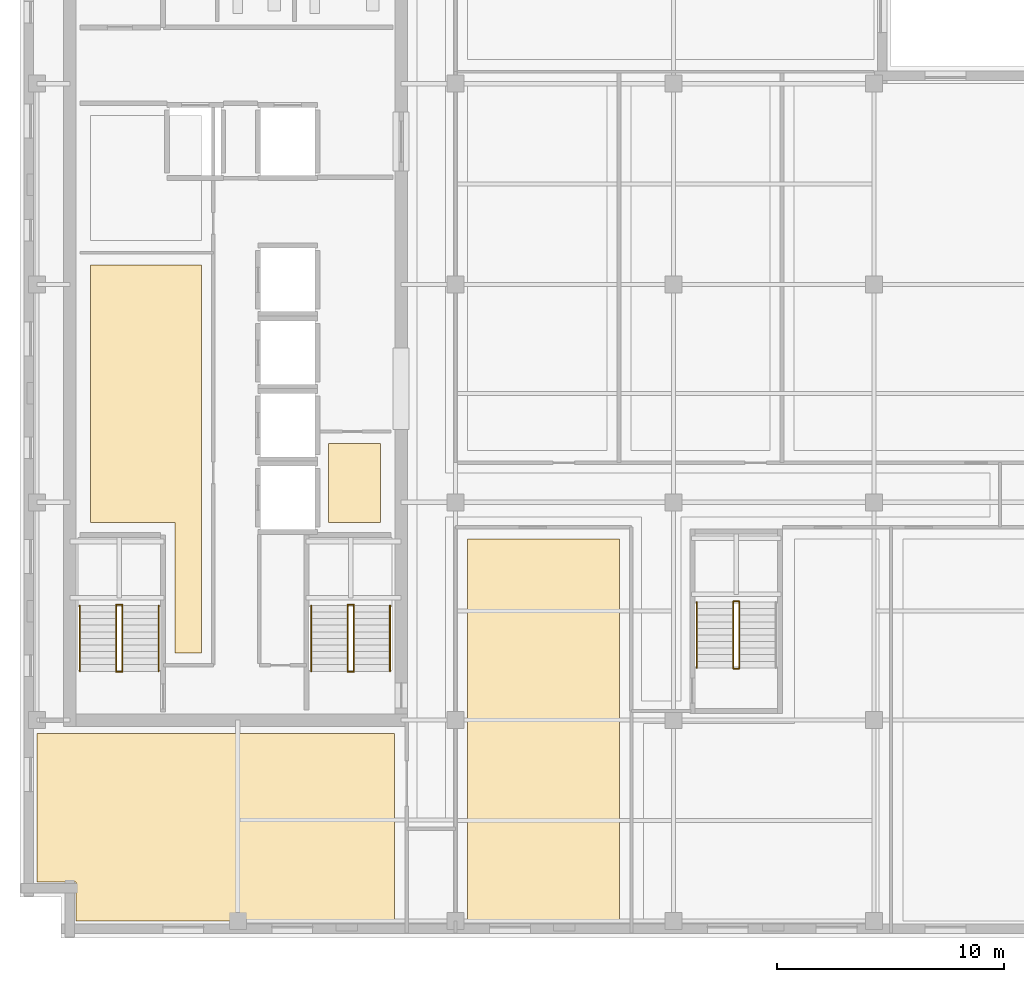
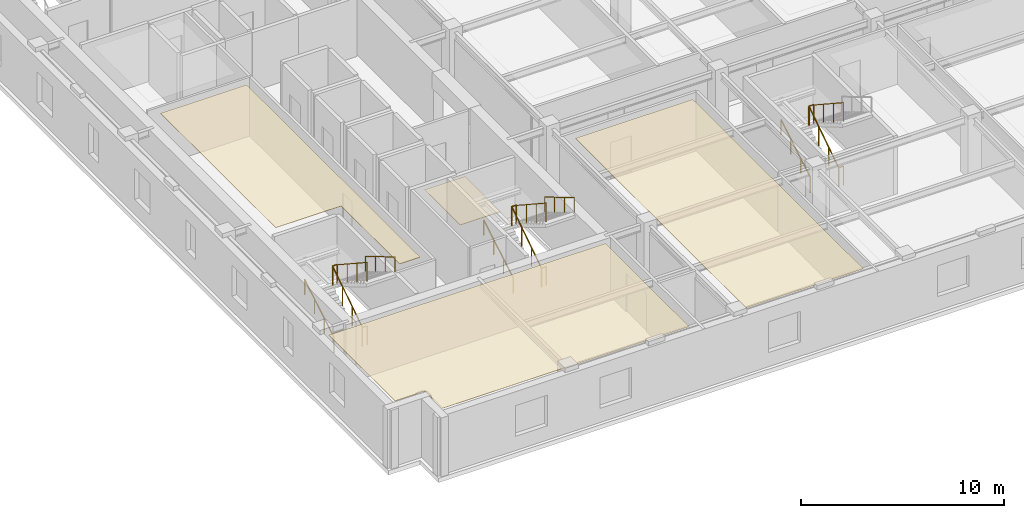
# One storey, part 7 of 10: 17 railings, 4 coverings.
"""IFC4 building model written with IfcOpenShell, lengths in metres."""

import ifcopenshell
import ifcopenshell.guid

model = None  # the IFC model being written
_history = None  # IfcOwnerHistory: only IFC2X3 demands one
_inside = {}  # id of a spatial element -> (the spatial element, [elements in it])
_under = {}  # id of a project, library or spatial element -> (it, [spatial elements below it])
_declared = {}  # id of a project -> (the project, [libraries it declares])
_typed = {}  # id of a type object -> (the type object, [elements of that type])
_made_of = {}  # id of a material, layer set ... -> (it, [elements and type objects made of it])


def new_model(schema):
    """Start an empty IFC model of exactly this schema.

    Asked for "IFC4X3", IfcOpenShell would pick the latest addendum, in which some entities
    have other attributes; the version numbers below select the first issue.
    IFC2X3 requires an IfcOwnerHistory on every rooted entity: one is made here for all.
    """
    global model, _history
    if schema == "IFC4X3":
        model = ifcopenshell.file(schema_version=(4, 3, 0, 0))
    else:
        model = ifcopenshell.file(schema=schema)
    _inside.clear()
    _under.clear()
    _declared.clear()
    _typed.clear()
    _made_of.clear()
    _history = None
    if model.schema == "IFC2X3":
        org = make("IfcOrganization", Name="unknown")
        user = make(
            "IfcPersonAndOrganization",
            ThePerson=make("IfcPerson", FamilyName="unknown"),
            TheOrganization=org,
        )
        app = make(
            "IfcApplication",
            ApplicationDeveloper=org,
            Version="unknown",
            ApplicationFullName="unknown",
            ApplicationIdentifier="unknown",
        )
        _history = make(
            "IfcOwnerHistory",
            OwningUser=user,
            OwningApplication=app,
            ChangeAction="ADDED",
            CreationDate=0,
        )
    return model


def make(cls, **values):
    """One entity of the class cls with the attributes given. An attribute that is None is left unset."""
    return model.create_entity(
        cls, **{name: value for name, value in values.items() if value is not None}
    )


def rooted(cls, **values):
    """An entity with a GlobalId (a new one), such as an element, a storey or a relation."""
    return make(cls, GlobalId=ifcopenshell.guid.new(), OwnerHistory=_history, **values)


def si_unit(unit_type, name, prefix=None):
    """IfcSIUnit, for example si_unit("LENGTHUNIT", "METRE", prefix="MILLI")."""
    return make("IfcSIUnit", UnitType=unit_type, Prefix=prefix, Name=name)


def assignment(units):
    """IfcUnitAssignment: the units of a project."""
    return None if units is None else make("IfcUnitAssignment", Units=units)


def point(xyz):
    """IfcCartesianPoint."""
    return None if xyz is None else make("IfcCartesianPoint", Coordinates=xyz)


def direction(xyz):
    """IfcDirection."""
    return None if xyz is None else make("IfcDirection", DirectionRatios=xyz)


def frame(location, z_axis=None, x_axis=None):
    """IfcAxis2Placement3D, a coordinate frame: its origin and axes. An axis left out is left unset."""
    return make(
        "IfcAxis2Placement3D",
        Location=point(location),
        Axis=direction(z_axis),
        RefDirection=direction(x_axis),
    )


def frame_2d(location, x_axis=None):
    """IfcAxis2Placement2D, a coordinate frame in the plane: its origin and x axis."""
    return make(
        "IfcAxis2Placement2D", Location=point(location), RefDirection=direction(x_axis)
    )


def origin():
    """The frame at (0, 0, 0) with its axes left unset."""
    return frame((0.0, 0.0, 0.0))


def origin_2d():
    """The frame at (0, 0) in the plane with its x axis left unset."""
    return frame_2d((0.0, 0.0))


def place(relative_to, where):
    """IfcLocalPlacement: puts the frame where relative to a parent placement (None: the world)."""
    return make(
        "IfcLocalPlacement", PlacementRelTo=relative_to, RelativePlacement=where
    )


def context(
    kind, dimensions, precision=None, world=None, true_north=None, identifier=None
):
    """IfcGeometricRepresentationContext, for example the 3D "Model" context."""
    return make(
        "IfcGeometricRepresentationContext",
        ContextIdentifier=identifier,
        ContextType=kind,
        CoordinateSpaceDimension=dimensions,
        Precision=precision,
        WorldCoordinateSystem=world,
        TrueNorth=true_north,
    )


def subcontext(parent, identifier, kind, view, scale=None):
    """IfcGeometricRepresentationSubContext, for example "Body" below "Model"."""
    return make(
        "IfcGeometricRepresentationSubContext",
        ContextIdentifier=identifier,
        ContextType=kind,
        ParentContext=parent,
        TargetScale=scale,
        TargetView=view,
    )


def project(units=None, contexts=None):
    """IfcProject with its units and contexts."""
    return rooted(
        "IfcProject",
        Name="project",
        RepresentationContexts=contexts,
        UnitsInContext=assignment(units),
    )


def spatial(cls, under=None, at=None, **own):
    """A site, building, storey or space (cls), placed at a placement, below another one or the project."""
    s = rooted(cls, ObjectPlacement=at, **own)
    if under is not None:
        _under.setdefault(under.id(), (under, []))[1].append(s)
    return s


def polyline(points):
    """IfcPolyline through the points."""
    return make("IfcPolyline", Points=[point(p) for p in points])


def profile(cls, at=None, kind="AREA", **sizes):
    """A parametric profile (cls). Its sizes go by their IFC names, for example OverallWidth=200.0."""
    return make(cls, ProfileType=kind, Position=at, **sizes)


def circle(**sizes):
    """IfcCircleProfileDef."""
    return profile("IfcCircleProfileDef", **sizes)


def outline(outer, holes=None, kind="AREA"):
    """IfcArbitraryClosedProfileDef: a profile drawn as a closed curve; with holes, ...WithVoids."""
    if holes is None:
        return make("IfcArbitraryClosedProfileDef", ProfileType=kind, OuterCurve=outer)
    return make(
        "IfcArbitraryProfileDefWithVoids",
        ProfileType=kind,
        OuterCurve=outer,
        InnerCurves=holes,
    )


def extrude(swept, where, along, depth):
    """IfcExtrudedAreaSolid: the profile swept, set in the frame where, extruded along a direction by depth."""
    return make(
        "IfcExtrudedAreaSolid",
        SweptArea=swept,
        Position=where,
        ExtrudedDirection=direction(along),
        Depth=depth,
    )


def shape(context_of_items, identifier, shape_type, items):
    """IfcShapeRepresentation: the items that make up one representation, for example the "Body"."""
    return make(
        "IfcShapeRepresentation",
        ContextOfItems=context_of_items,
        RepresentationIdentifier=identifier,
        RepresentationType=shape_type,
        Items=items,
    )


def material(Name=None, Category=None):
    """IfcMaterial."""
    return make("IfcMaterial", Name=Name, Category=Category)


def layer(
    of_material, thickness, ventilated=None, Name=None, Category=None, Priority=None
):
    """IfcMaterialLayer: one layer of a wall or slab, of a material (None: an air gap)."""
    return make(
        "IfcMaterialLayer",
        Material=of_material,
        LayerThickness=thickness,
        IsVentilated=ventilated,
        Name=Name,
        Category=Category,
        Priority=Priority,
    )


def layer_set(layers, Name=None):
    """IfcMaterialLayerSet."""
    return make("IfcMaterialLayerSet", MaterialLayers=layers, LayerSetName=Name)


def made_of(thing, what):
    """Note that an element or type object is made of a material, layer set ...; save() writes the relation."""
    if what is not None:
        _made_of.setdefault(what.id(), (what, []))[1].append(thing)
    return thing


def type_object(cls, material=None, **own):
    """A type object (cls), such as IfcWallType, which elements share."""
    return made_of(rooted(cls, **own), material)


def element(
    cls,
    number,
    at=None,
    inside=None,
    cuts=None,
    type_object=None,
    material=None,
    context=None,
    identifier="Body",
    shape_type=None,
    held_by="IfcProductDefinitionShape",
    body=None,
    shapes=None,
    **own,
):
    """One element of the class cls, such as IfcWall. Its Tag is "e" and its number.

    at: its placement. inside: the storey or other place that contains it. cuts: it is an
    opening in that element (IfcRelVoidsElement). A single representation is given by context,
    identifier, shape_type and body (its items); several are given by shapes. held_by: the class
    of the entity that holds the representations. save() writes the other relations.
    """
    e = rooted(cls, Tag="e%d" % number, ObjectPlacement=at, **own)
    if body is not None:
        shapes = [shape(context, identifier, shape_type, body)]
    if shapes is not None:
        e.Representation = make(held_by, Representations=shapes)
    if inside is not None:
        _inside.setdefault(inside.id(), (inside, []))[1].append(e)
    if cuts is not None:
        rooted(
            "IfcRelVoidsElement", RelatingBuildingElement=cuts, RelatedOpeningElement=e
        )
    if type_object is not None:
        _typed.setdefault(type_object.id(), (type_object, []))[1].append(e)
    return made_of(e, material)


def aggregate(whole, parts):
    """IfcRelAggregates: a whole, such as a stair, and the parts it consists of."""
    return rooted("IfcRelAggregates", RelatingObject=whole, RelatedObjects=parts)


def save(model, path):
    """Write the relations noted so far, then the file.

    IfcRelAggregates (storeys below a building ...), IfcRelContainedInSpatialStructure (elements
    in a storey), IfcRelDefinesByType, IfcRelAssociatesMaterial and IfcRelDeclares: one each for
    every whole, place, type object, material and project.
    """
    for whole, parts in _under.values():
        aggregate(whole, parts)
    for where, things in _inside.values():
        rooted(
            "IfcRelContainedInSpatialStructure",
            RelatedElements=things,
            RelatingStructure=where,
        )
    for kind, things in _typed.values():
        rooted("IfcRelDefinesByType", RelatedObjects=things, RelatingType=kind)
    for what, things in _made_of.values():
        rooted("IfcRelAssociatesMaterial", RelatedObjects=things, RelatingMaterial=what)
    for by, libraries in _declared.values():
        rooted("IfcRelDeclares", RelatingContext=by, RelatedDefinitions=libraries)
    model.write(path)


model = new_model("IFC4")

# Units and contexts
model_context = context("Model", 3, precision=1e-05, world=origin(), true_north=direction((0.0, 1.0)))
body_context = subcontext(model_context, "Body", "Model", "MODEL_VIEW")
ifc_project = project(units=[si_unit("LENGTHUNIT", "METRE"), si_unit("AREAUNIT", "SQUARE_METRE"), si_unit("VOLUMEUNIT", "CUBIC_METRE"), si_unit("PLANEANGLEUNIT", "RADIAN"), si_unit("MASSUNIT", "GRAM", prefix="KILO")], contexts=[model_context])

# Site, building, storey
site_placement = place(None, origin())
site = spatial("IfcSite", under=ifc_project, at=site_placement, CompositionType="ELEMENT")
building_placement = place(site_placement, origin())
building = spatial("IfcBuilding", under=site, at=building_placement, Name="Norrvale University Quadrangle", CompositionType="ELEMENT")
storey_placement = place(building_placement, frame((0.0, 0.0, 265.800048828125)))
storey = spatial("IfcBuildingStorey", under=building, at=storey_placement, Name="L67", CompositionType="ELEMENT", Elevation=265.800048828125)

# Coverings
ifc_material_1 = material(Name="Perforated Acoustic Mineral Ceiling")
ifc_layer_1 = layer(ifc_material_1, 0.02490234375, Name="Perforated Acoustic Mineral Ceiling")
ifc_layer_set_1 = layer_set([ifc_layer_1], Name="Perforated Acoustic Mineral Ceiling")
covering_type_1 = type_object("IfcCoveringType", Name="Covering Acoustic Ceiling 25", PredefinedType="CEILING", material=ifc_layer_set_1)
covering_1_placement = place(storey_placement, frame((0.0, 0.0, 3.514892578125)))
element("IfcCovering", 1, at=covering_1_placement, inside=storey, type_object=covering_type_1, Name="Acoustic Ceiling RM-L67-REC1", PredefinedType="CEILING", context=body_context, shape_type="SweptSolid", body=[
    extrude(outline(polyline([(3.10009765625, 18.300048828125), (3.10009765625, 29.64990234375), (8.0, 29.64990234375), (8.0, 12.550048828125), (6.830078125, 12.550048828125), (6.830078125, 18.300048828125), (3.10009765625, 18.300048828125)])), origin(), (0.0, 0.0, 1.0), 0.025146484375),
])
covering_2_placement = place(storey_placement, frame((0.0, 0.0, 3.514892578125)))
element("IfcCovering", 2, at=covering_2_placement, inside=storey, type_object=covering_type_1, Name="Acoustic Ceiling RM-L67-SW1", PredefinedType="CEILING", context=body_context, shape_type="SweptSolid", body=[
    extrude(outline(polyline([(0.75, 9.0), (16.5, 9.0), (16.5, 0.75), (2.469970703125, 0.75), (2.469970703125, 2.469970703125), (0.75, 2.469970703125), (0.75, 9.0)])), origin(), (0.0, 0.0, 1.0), 0.025146484375),
])
covering_3_placement = place(storey_placement, frame((0.0, 0.0, 3.514892578125)))
element("IfcCovering", 3, at=covering_3_placement, inside=storey, type_object=covering_type_1, Name="Acoustic Ceiling RM-L67-SE1", PredefinedType="CEILING", context=body_context, shape_type="SweptSolid", body=[
    extrude(outline(polyline([(19.72998046875, 17.570068359375), (26.419921875, 17.570068359375), (26.419921875, 0.75), (19.72998046875, 0.75), (19.72998046875, 17.570068359375)])), origin(), (0.0, 0.0, 1.0), 0.025146484375),
])
ifc_material_2 = material(Name="Polished Terrazzo Flooring")
ifc_layer_2 = layer(ifc_material_2, 0.02490234375, Name="Polished Terrazzo Flooring")
ifc_layer_set_2 = layer_set([ifc_layer_2], Name="Polished Terrazzo Flooring")
covering_type_2 = type_object("IfcCoveringType", Name="Covering Terrazzo Floor 30", PredefinedType="FLOORING", material=ifc_layer_set_2)
covering_4_placement = place(storey_placement, origin())
element("IfcCovering", 4, at=covering_4_placement, inside=storey, type_object=covering_type_2, Name="Terrazzo Flooring RM-L67-JAN", PredefinedType="FLOORING", context=body_context, shape_type="SweptSolid", body=[
    extrude(outline(polyline([(13.60009765625, 18.300048828125), (13.60009765625, 21.800048828125), (15.89990234375, 21.800048828125), (15.89990234375, 18.300048828125), (13.60009765625, 18.300048828125)])), origin(), (0.0, 0.0, 1.0), 0.02490234375),
])

# Railings
ifc_material_3 = material(Name="Steel 350W Painted Balustrade", Category="steel")
railing_type_1 = type_object("IfcRailingType", Name="Railing Stair Guard 1100", PredefinedType="GUARDRAIL", material=ifc_material_3)
for number, where, name in (
    (5, (4.239990234375, 11.719970703125, 0.0), "Stair Floor Well Guard ST-01 L67"),
    (6, (4.239990234375, 14.679931640625, 1.89990234375), "Stair Mid-Landing Slot Guard ST-01 L67"),
):
    element("IfcRailing", number, at=place(storey_placement, frame(where)), inside=storey, type_object=railing_type_1, Name=name, PredefinedType="GUARDRAIL", context=body_context, shape_type="SweptSolid", body=[
        extrude(circle(Radius=0.02392578125, at=origin_2d()), frame((0.0, 0.0, 1.1259765625), z_axis=(1.0, 0.0, 0.0), x_axis=(0.0, 1.0, 0.0)), (0.0, 0.0, 1.0), 0.27001953125),
        extrude(circle(Radius=0.02099609375, at=origin_2d()), origin(), (0.0, 0.0, 1.0), 1.101806640625),
        extrude(circle(Radius=0.02099609375, at=origin_2d()), frame((0.27001953125, 0.0, 0.0)), (0.0, 0.0, 1.0), 1.101806640625),
    ])
railing_1_placement = place(storey_placement, frame((4.239990234375, 11.75, 0.0)))
element("IfcRailing", 7, at=railing_1_placement, inside=storey, type_object=railing_type_1, Name="Stair Lower Flight Inner Guard ST-01 L67", PredefinedType="GUARDRAIL", context=body_context, shape_type="SweptSolid", body=[
    extrude(circle(Radius=0.02392578125, at=origin_2d()), frame((0.0, 0.0, 1.1259765625), z_axis=(0.0, 0.836465582154, 0.548019461216), x_axis=(-1.0, 0.0, 0.0)), (0.0, 0.0, 1.0), 3.466796875),
    extrude(circle(Radius=0.02099609375, at=origin_2d()), origin(), (0.0, 0.0, 1.0), 1.101806640625),
    extrude(circle(Radius=0.02099609375, at=origin_2d()), frame((0.0, 0.966552734375, 0.63330078125)), (0.0, 0.0, 1.0), 1.101806640625),
    extrude(circle(Radius=0.02099609375, at=origin_2d()), frame((0.0, 1.933349609375, 1.2666015625)), (0.0, 0.0, 1.0), 1.101806640625),
    extrude(circle(Radius=0.02099609375, at=origin_2d()), frame((0.0, 2.89990234375, 1.89990234375)), (0.0, 0.0, 1.0), 1.101806640625),
])
railing_2_placement = place(storey_placement, frame((4.510009765625, 14.64990234375, 1.89990234375)))
element("IfcRailing", 8, at=railing_2_placement, inside=storey, type_object=railing_type_1, Name="Stair Upper Flight Inner Guard ST-01 L67", PredefinedType="GUARDRAIL", context=body_context, shape_type="SweptSolid", body=[
    extrude(circle(Radius=0.02392578125, at=origin_2d()), frame((0.0, 0.0, 1.1259765625), z_axis=(0.0, -0.836433300813, 0.548068730445), x_axis=(1.0, 0.0, 0.0)), (0.0, 0.0, 1.0), 3.467041015625),
    extrude(circle(Radius=0.02099609375, at=origin_2d()), origin(), (0.0, 0.0, 1.0), 1.101806640625),
    extrude(circle(Radius=0.02099609375, at=origin_2d()), frame((0.0, -0.966552734375, 0.63330078125)), (0.0, 0.0, 1.0), 1.101806640625),
    extrude(circle(Radius=0.02099609375, at=origin_2d()), frame((0.0, -1.933349609375, 1.266845703125)), (0.0, 0.0, 1.0), 1.101806640625),
    extrude(circle(Radius=0.02099609375, at=origin_2d()), frame((0.0, -2.89990234375, 1.900146484375)), (0.0, 0.0, 1.0), 1.101806640625),
])
for number, where, name in (
    (9, (14.43994140625, 11.719970703125, 0.0), "Stair Floor Well Guard ST-03 L67"),
    (10, (14.43994140625, 14.679931640625, 1.89990234375), "Stair Mid-Landing Slot Guard ST-03 L67"),
):
    element("IfcRailing", number, at=place(storey_placement, frame(where)), inside=storey, type_object=railing_type_1, Name=name, PredefinedType="GUARDRAIL", context=body_context, shape_type="SweptSolid", body=[
        extrude(circle(Radius=0.02392578125, at=origin_2d()), frame((0.0, 0.0, 1.1259765625), z_axis=(1.0, 0.0, 0.0), x_axis=(0.0, 1.0, 0.0)), (0.0, 0.0, 1.0), 0.27001953125),
        extrude(circle(Radius=0.02099609375, at=origin_2d()), origin(), (0.0, 0.0, 1.0), 1.101806640625),
        extrude(circle(Radius=0.02099609375, at=origin_2d()), frame((0.27001953125, 0.0, 0.0)), (0.0, 0.0, 1.0), 1.101806640625),
    ])
railing_3_placement = place(storey_placement, frame((14.43994140625, 11.75, 0.0)))
element("IfcRailing", 11, at=railing_3_placement, inside=storey, type_object=railing_type_1, Name="Stair Lower Flight Inner Guard ST-03 L67", PredefinedType="GUARDRAIL", context=body_context, shape_type="SweptSolid", body=[
    extrude(circle(Radius=0.02392578125, at=origin_2d()), frame((0.0, 0.0, 1.1259765625), z_axis=(0.0, 0.836465582154, 0.548019461216), x_axis=(-1.0, 0.0, 0.0)), (0.0, 0.0, 1.0), 3.466796875),
    extrude(circle(Radius=0.02099609375, at=origin_2d()), origin(), (0.0, 0.0, 1.0), 1.101806640625),
    extrude(circle(Radius=0.02099609375, at=origin_2d()), frame((0.0, 0.966552734375, 0.63330078125)), (0.0, 0.0, 1.0), 1.101806640625),
    extrude(circle(Radius=0.02099609375, at=origin_2d()), frame((0.0, 1.933349609375, 1.2666015625)), (0.0, 0.0, 1.0), 1.101806640625),
    extrude(circle(Radius=0.02099609375, at=origin_2d()), frame((0.0, 2.89990234375, 1.89990234375)), (0.0, 0.0, 1.0), 1.101806640625),
])
railing_4_placement = place(storey_placement, frame((14.7099609375, 14.64990234375, 1.89990234375)))
element("IfcRailing", 12, at=railing_4_placement, inside=storey, type_object=railing_type_1, Name="Stair Upper Flight Inner Guard ST-03 L67", PredefinedType="GUARDRAIL", context=body_context, shape_type="SweptSolid", body=[
    extrude(circle(Radius=0.02392578125, at=origin_2d()), frame((0.0, 0.0, 1.1259765625), z_axis=(0.0, -0.836433300813, 0.548068730445), x_axis=(1.0, 0.0, 0.0)), (0.0, 0.0, 1.0), 3.467041015625),
    extrude(circle(Radius=0.02099609375, at=origin_2d()), origin(), (0.0, 0.0, 1.0), 1.101806640625),
    extrude(circle(Radius=0.02099609375, at=origin_2d()), frame((0.0, -0.966552734375, 0.63330078125)), (0.0, 0.0, 1.0), 1.101806640625),
    extrude(circle(Radius=0.02099609375, at=origin_2d()), frame((0.0, -1.933349609375, 1.266845703125)), (0.0, 0.0, 1.0), 1.101806640625),
    extrude(circle(Radius=0.02099609375, at=origin_2d()), frame((0.0, -2.89990234375, 1.900146484375)), (0.0, 0.0, 1.0), 1.101806640625),
])
for number, where, name in (
    (13, (31.43994140625, 11.8701171875, 0.0), "Stair Floor Well Guard ST-04 L67"),
    (14, (31.43994140625, 14.830078125, 1.89990234375), "Stair Mid-Landing Slot Guard ST-04 L67"),
):
    element("IfcRailing", number, at=place(storey_placement, frame(where)), inside=storey, type_object=railing_type_1, Name=name, PredefinedType="GUARDRAIL", context=body_context, shape_type="SweptSolid", body=[
        extrude(circle(Radius=0.02392578125, at=origin_2d()), frame((0.0, 0.0, 1.1259765625), z_axis=(1.0, 0.0, 0.0), x_axis=(0.0, 1.0, 0.0)), (0.0, 0.0, 1.0), 0.27001953125),
        extrude(circle(Radius=0.02099609375, at=origin_2d()), origin(), (0.0, 0.0, 1.0), 1.101806640625),
        extrude(circle(Radius=0.02099609375, at=origin_2d()), frame((0.27001953125, 0.0, 0.0)), (0.0, 0.0, 1.0), 1.101806640625),
    ])
railing_5_placement = place(storey_placement, frame((31.43994140625, 11.89990234375, 0.0)))
element("IfcRailing", 15, at=railing_5_placement, inside=storey, type_object=railing_type_1, Name="Stair Lower Flight Inner Guard ST-04 L67", PredefinedType="GUARDRAIL", context=body_context, shape_type="SweptSolid", body=[
    extrude(circle(Radius=0.02392578125, at=origin_2d()), frame((0.0, 0.0, 1.1259765625), z_axis=(0.0, 0.836486729621, 0.547987181573), x_axis=(-1.0, 0.0, 0.0)), (0.0, 0.0, 1.0), 3.467041015625),
    extrude(circle(Radius=0.02099609375, at=origin_2d()), origin(), (0.0, 0.0, 1.0), 1.101806640625),
    extrude(circle(Radius=0.02099609375, at=origin_2d()), frame((0.0, 0.966796875, 0.63330078125)), (0.0, 0.0, 1.0), 1.101806640625),
    extrude(circle(Radius=0.02099609375, at=origin_2d()), frame((0.0, 1.933349609375, 1.2666015625)), (0.0, 0.0, 1.0), 1.101806640625),
    extrude(circle(Radius=0.02099609375, at=origin_2d()), frame((0.0, 2.900146484375, 1.89990234375)), (0.0, 0.0, 1.0), 1.101806640625),
])
railing_6_placement = place(storey_placement, frame((31.7099609375, 14.800048828125, 1.89990234375)))
element("IfcRailing", 16, at=railing_6_placement, inside=storey, type_object=railing_type_1, Name="Stair Upper Flight Inner Guard ST-04 L67", PredefinedType="GUARDRAIL", context=body_context, shape_type="SweptSolid", body=[
    extrude(circle(Radius=0.02392578125, at=origin_2d()), frame((0.0, 0.0, 1.1259765625), z_axis=(0.0, -0.836454451266, 0.548036450392), x_axis=(1.0, 0.0, 0.0)), (0.0, 0.0, 1.0), 3.46728515625),
    extrude(circle(Radius=0.02099609375, at=origin_2d()), origin(), (0.0, 0.0, 1.0), 1.101806640625),
    extrude(circle(Radius=0.02099609375, at=origin_2d()), frame((0.0, -0.966796875, 0.63330078125)), (0.0, 0.0, 1.0), 1.101806640625),
    extrude(circle(Radius=0.02099609375, at=origin_2d()), frame((0.0, -1.933349609375, 1.266845703125)), (0.0, 0.0, 1.0), 1.101806640625),
    extrude(circle(Radius=0.02099609375, at=origin_2d()), frame((0.0, -2.900146484375, 1.900146484375)), (0.0, 0.0, 1.0), 1.101806640625),
])
ifc_material_4 = material(Name="Stainless Steel 316L Handrail", Category="steel")
railing_type_2 = type_object("IfcRailingType", Name="Railing Stair Handrail 920", PredefinedType="HANDRAIL", material=ifc_material_4)
railing_7_placement = place(storey_placement, frame((2.639892578125, 11.75, 0.172607421875)))
element("IfcRailing", 17, at=railing_7_placement, inside=storey, type_object=railing_type_2, Name="Stair Lower Flight Handrail ST-01 L67", PredefinedType="HANDRAIL", context=body_context, shape_type="SweptSolid", body=[
    extrude(circle(Radius=0.02392578125, at=origin_2d()), frame((0.0, 0.0, 0.89599609375), z_axis=(0.0, 0.859141464434, 0.511738159696), x_axis=(-1.0, 0.0, 0.0)), (0.0, 0.0, 1.0), 3.375244140625),
    extrude(circle(Radius=0.02099609375, at=origin_2d()), origin(), (0.0, 0.0, 1.0), 0.871826171875),
    extrude(circle(Radius=0.02099609375, at=origin_2d()), frame((0.0, 0.966552734375, 0.57568359375)), (0.0, 0.0, 1.0), 0.871826171875),
    extrude(circle(Radius=0.02099609375, at=origin_2d()), frame((0.0, 1.933349609375, 1.151611328125)), (0.0, 0.0, 1.0), 0.871826171875),
    extrude(circle(Radius=0.02099609375, at=origin_2d()), frame((0.0, 2.89990234375, 1.727294921875)), (0.0, 0.0, 1.0), 0.871826171875),
])
railing_8_placement = place(storey_placement, frame((6.110107421875, 14.64990234375, 2.07275390625)))
element("IfcRailing", 18, at=railing_8_placement, inside=storey, type_object=railing_type_2, Name="Stair Upper Flight Handrail ST-01 L67", PredefinedType="HANDRAIL", context=body_context, shape_type="SweptSolid", body=[
    extrude(circle(Radius=0.02392578125, at=origin_2d()), frame((0.0, 0.0, 0.89599609375), z_axis=(0.0, -0.859141464434, 0.511738159696), x_axis=(1.0, 0.0, 0.0)), (0.0, 0.0, 1.0), 3.375244140625),
    extrude(circle(Radius=0.02099609375, at=origin_2d()), origin(), (0.0, 0.0, 1.0), 0.871826171875),
    extrude(circle(Radius=0.02099609375, at=origin_2d()), frame((0.0, -0.966552734375, 0.57568359375)), (0.0, 0.0, 1.0), 0.871826171875),
    extrude(circle(Radius=0.02099609375, at=origin_2d()), frame((0.0, -1.933349609375, 1.151611328125)), (0.0, 0.0, 1.0), 0.871826171875),
    extrude(circle(Radius=0.02099609375, at=origin_2d()), frame((0.0, -2.89990234375, 1.727294921875)), (0.0, 0.0, 1.0), 0.871826171875),
])
railing_9_placement = place(storey_placement, frame((12.840087890625, 11.75, 0.172607421875)))
element("IfcRailing", 19, at=railing_9_placement, inside=storey, type_object=railing_type_2, Name="Stair Lower Flight Handrail ST-03 L67", PredefinedType="HANDRAIL", context=body_context, shape_type="SweptSolid", body=[
    extrude(circle(Radius=0.02392578125, at=origin_2d()), frame((0.0, 0.0, 0.89599609375), z_axis=(0.0, 0.859141464434, 0.511738159696), x_axis=(-1.0, 0.0, 0.0)), (0.0, 0.0, 1.0), 3.375244140625),
    extrude(circle(Radius=0.02099609375, at=origin_2d()), origin(), (0.0, 0.0, 1.0), 0.871826171875),
    extrude(circle(Radius=0.02099609375, at=origin_2d()), frame((0.0, 0.966552734375, 0.57568359375)), (0.0, 0.0, 1.0), 0.871826171875),
    extrude(circle(Radius=0.02099609375, at=origin_2d()), frame((0.0, 1.933349609375, 1.151611328125)), (0.0, 0.0, 1.0), 0.871826171875),
    extrude(circle(Radius=0.02099609375, at=origin_2d()), frame((0.0, 2.89990234375, 1.727294921875)), (0.0, 0.0, 1.0), 0.871826171875),
])
railing_10_placement = place(storey_placement, frame((16.31005859375, 14.64990234375, 2.07275390625)))
element("IfcRailing", 20, at=railing_10_placement, inside=storey, type_object=railing_type_2, Name="Stair Upper Flight Handrail ST-03 L67", PredefinedType="HANDRAIL", context=body_context, shape_type="SweptSolid", body=[
    extrude(circle(Radius=0.02392578125, at=origin_2d()), frame((0.0, 0.0, 0.89599609375), z_axis=(0.0, -0.859141464434, 0.511738159696), x_axis=(1.0, 0.0, 0.0)), (0.0, 0.0, 1.0), 3.375244140625),
    extrude(circle(Radius=0.02099609375, at=origin_2d()), origin(), (0.0, 0.0, 1.0), 0.871826171875),
    extrude(circle(Radius=0.02099609375, at=origin_2d()), frame((0.0, -0.966552734375, 0.57568359375)), (0.0, 0.0, 1.0), 0.871826171875),
    extrude(circle(Radius=0.02099609375, at=origin_2d()), frame((0.0, -1.933349609375, 1.151611328125)), (0.0, 0.0, 1.0), 0.871826171875),
    extrude(circle(Radius=0.02099609375, at=origin_2d()), frame((0.0, -2.89990234375, 1.727294921875)), (0.0, 0.0, 1.0), 0.871826171875),
])
railing_11_placement = place(storey_placement, frame((29.840087890625, 11.89990234375, 0.172607421875)))
element("IfcRailing", 21, at=railing_11_placement, inside=storey, type_object=railing_type_2, Name="Stair Lower Flight Handrail ST-04 L67", PredefinedType="HANDRAIL", context=body_context, shape_type="SweptSolid", body=[
    extrude(circle(Radius=0.02392578125, at=origin_2d()), frame((0.0, 0.0, 0.89599609375), z_axis=(0.0, 0.859160404282, 0.51170636083), x_axis=(-1.0, 0.0, 0.0)), (0.0, 0.0, 1.0), 3.37548828125),
    extrude(circle(Radius=0.02099609375, at=origin_2d()), origin(), (0.0, 0.0, 1.0), 0.871826171875),
    extrude(circle(Radius=0.02099609375, at=origin_2d()), frame((0.0, 0.966796875, 0.57568359375)), (0.0, 0.0, 1.0), 0.871826171875),
    extrude(circle(Radius=0.02099609375, at=origin_2d()), frame((0.0, 1.933349609375, 1.151611328125)), (0.0, 0.0, 1.0), 0.871826171875),
    extrude(circle(Radius=0.02099609375, at=origin_2d()), frame((0.0, 2.900146484375, 1.727294921875)), (0.0, 0.0, 1.0), 0.871826171875),
])

save(model, "model.ifc")
